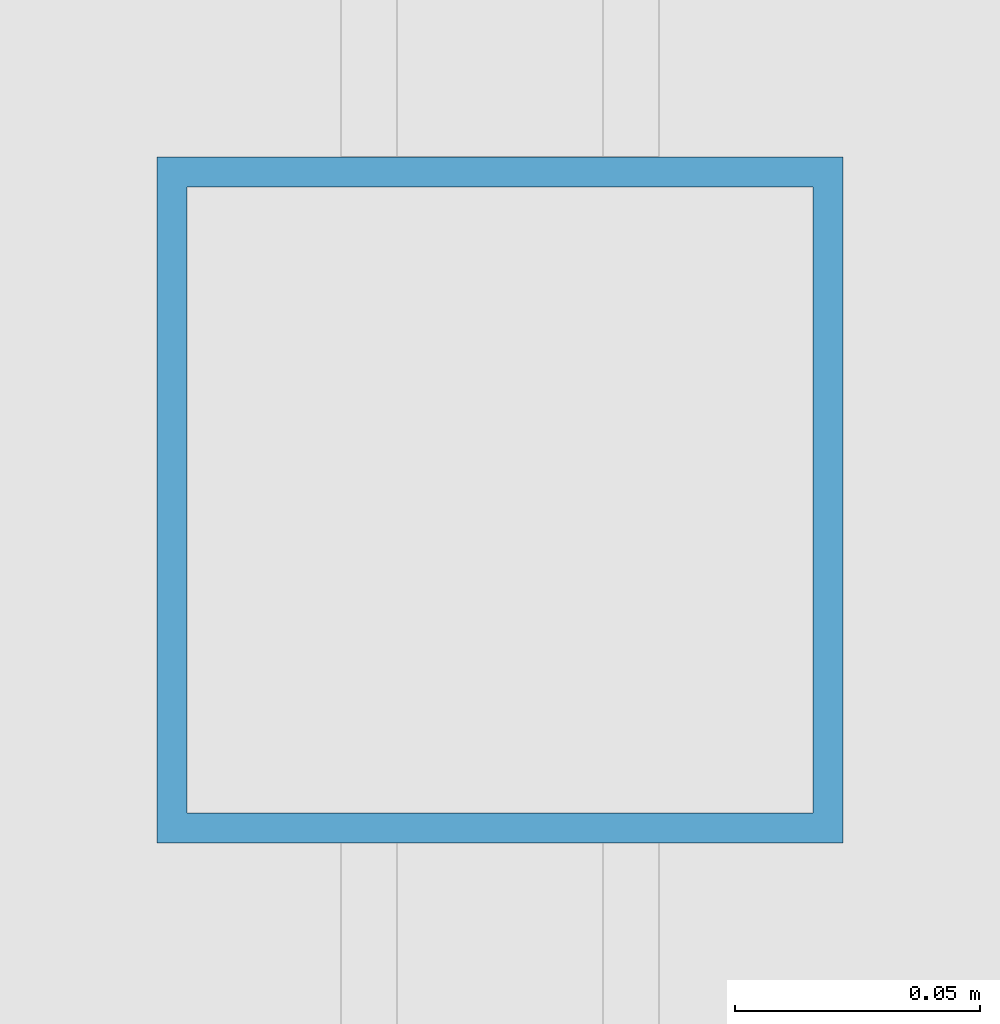
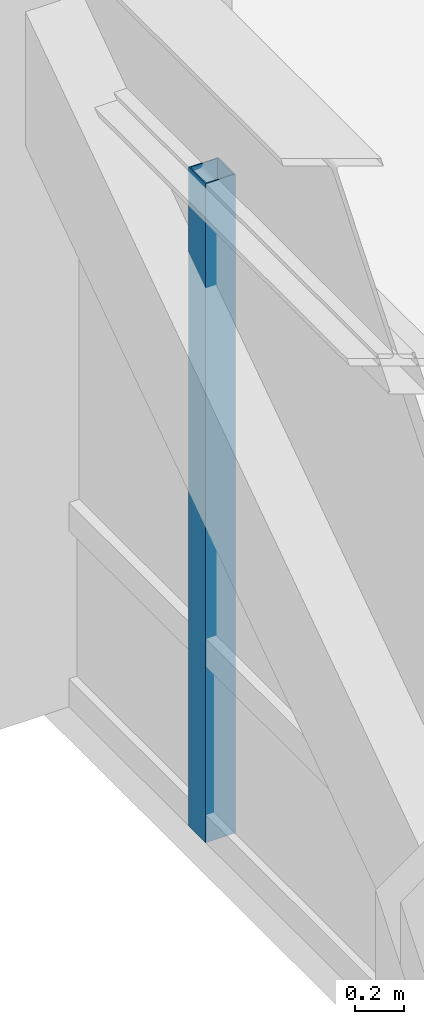
# One storey, part 12 of 31: 1 member, 1 element without a shape of its own.
"""IFC4 building model written with IfcOpenShell, lengths in metres."""

from ifc_helpers import new_model, si_unit, direction, frame, origin, origin_2d, place, context, subcontext, project, spatial, hollow_rectangle, extrude, source, transform, mapped, material, material_profile, profile_set, type_object, element, aggregate, save


model = new_model("IFC4")

# Units and contexts
model_context = context("Model", 3, precision=1e-05, world=origin(), true_north=direction((0.0, 1.0)))
body_context = subcontext(model_context, "Body", "Model", "MODEL_VIEW")
ifc_project = project(units=[si_unit("LENGTHUNIT", "METRE"), si_unit("AREAUNIT", "SQUARE_METRE"), si_unit("VOLUMEUNIT", "CUBIC_METRE"), si_unit("PLANEANGLEUNIT", "RADIAN"), si_unit("MASSUNIT", "GRAM", prefix="KILO")], contexts=[model_context])

# Site, building, storey
site_placement = place(None, origin())
site = spatial("IfcSite", under=ifc_project, at=site_placement, CompositionType="ELEMENT")
building_placement = place(site_placement, origin())
building = spatial("IfcBuilding", under=site, at=building_placement, Name="Khorayat Bourse Tower", CompositionType="ELEMENT")
storey_placement = place(building_placement, frame((0.0, 0.0, 36.800048828125)))
storey = spatial("IfcBuildingStorey", under=building, at=storey_placement, Name="L07", CompositionType="ELEMENT", Elevation=36.800048828125)

# Curtain wall, member
ifc_material = material(Name="Aluminium EN AW-6063 T6", Category="aluminium")
curtain_wall_type = type_object("IfcCurtainWallType", Name="CW-SYS-02", PredefinedType="NOTDEFINED", material=ifc_material)
curtain_wall_placement = place(storey_placement, origin())
curtain_wall = element("IfcCurtainWall", 1, at=curtain_wall_placement, inside=storey, type_object=curtain_wall_type, Name="L07 Curtain Wall CW-L07-W1", PredefinedType="NOTDEFINED")
ifc_material_profile = material_profile(ifc_material, hollow_rectangle(XDim=0.139892578125, YDim=0.139892578125, WallThickness=0.006103515625, at=origin_2d()), Name="ALU 140x140x6")
ifc_profile_set = profile_set([ifc_material_profile], Name="Aluminium EN AW-6063 T6")
member_type = type_object("IfcMemberType", Name="CWM-VERT-140", PredefinedType="MULLION", material=ifc_profile_set)
shared_shape = source(origin(), body_context, "Body", "SweptSolid", [
    extrude(hollow_rectangle(XDim=0.139892578125, YDim=0.139892578125, WallThickness=0.006103515625, at=origin_2d()), origin(), (0.0, 0.0, 1.0), 3.2900390625),
])
member_placement = place(storey_placement, frame((-32.0, 9.25, 0.0), z_axis=(0.0, 0.0, 1.0), x_axis=(-1.0, 0.0, 0.0)))
member = element("IfcMember", 2, at=member_placement, type_object=member_type, Name="CW-L07-W1 Vertical Mullion 3", PredefinedType="MULLION", context=body_context, shape_type="MappedRepresentation", body=[
    mapped(shared_shape, transform((0.0, 0.0, 0.0), scale=1.0)),
])
aggregate(curtain_wall, [member])

save(model, "model.ifc")
